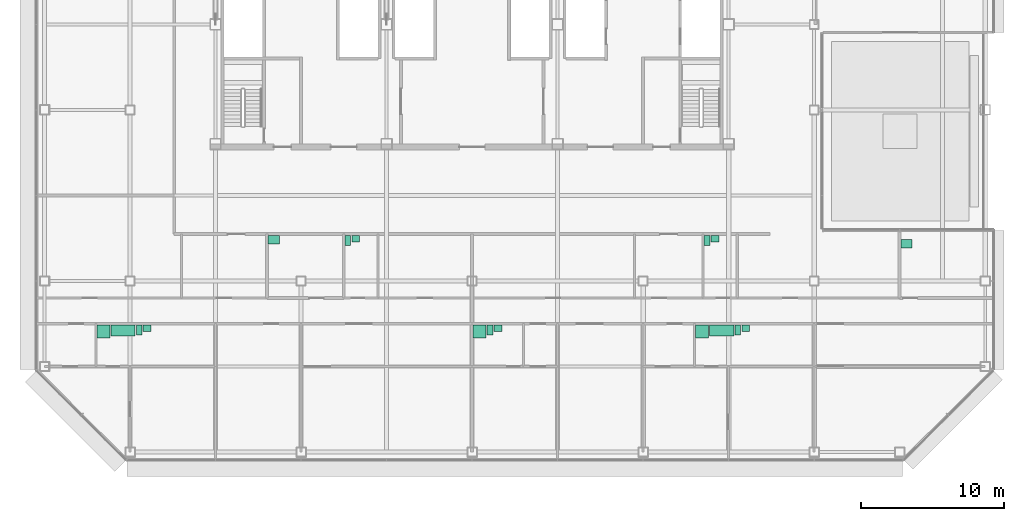
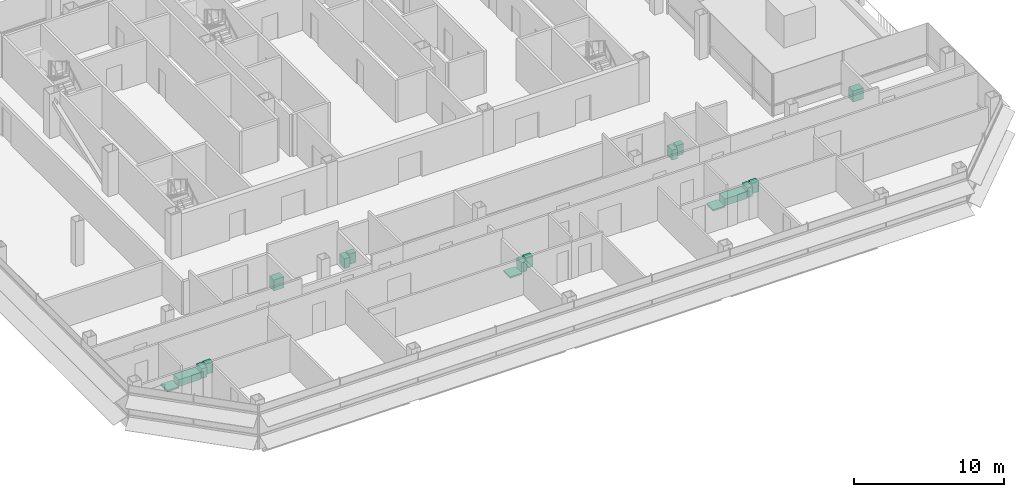
# One storey, part 26 of 27: 17 sanitary terminals.
"""IFC4 building model written with IfcOpenShell, lengths in metres."""

from ifc_helpers import new_model, si_unit, direction, frame, origin, origin_2d, place, context, subcontext, project, spatial, rectangle, extrude, element, save


model = new_model("IFC4")

# Units and contexts
model_context = context("Model", 3, precision=1e-05, world=origin(), true_north=direction((0.0, 1.0)))
body_context = subcontext(model_context, "Body", "Model", "MODEL_VIEW")
ifc_project = project(units=[si_unit("LENGTHUNIT", "METRE"), si_unit("AREAUNIT", "SQUARE_METRE"), si_unit("VOLUMEUNIT", "CUBIC_METRE"), si_unit("PLANEANGLEUNIT", "RADIAN"), si_unit("MASSUNIT", "GRAM", prefix="KILO")], contexts=[model_context])

# Site, building, storey
site_placement = place(None, origin())
site = spatial("IfcSite", under=ifc_project, at=site_placement, CompositionType="ELEMENT")
building_placement = place(site_placement, origin())
building = spatial("IfcBuilding", under=site, at=building_placement, Name="Sorahane Residences", CompositionType="ELEMENT")
storey_placement = place(building_placement, frame((0.0, 0.0, 167.199951171875)))
storey = spatial("IfcBuildingStorey", under=building, at=storey_placement, Name="L38", CompositionType="ELEMENT", Elevation=167.199951171875)

# Sanitary terminals
sanitary_terminal_1_placement = place(storey_placement, frame((-1.8701171875, 8.449951171875, 0.0), z_axis=(0.0, 0.0, 1.0), x_axis=(1.0, 0.0, 0.0)))
element("IfcSanitaryTerminal", 1, at=sanitary_terminal_1_placement, inside=storey, Name="Shower tray En-suite bathroom 38A", PredefinedType="SHOWER", context=body_context, shape_type="SweptSolid", body=[
    extrude(rectangle(XDim=0.89990234375, YDim=0.89990234375, at=origin_2d()), origin(), (0.0, 0.0, 1.0), 0.1201171875),
])
sanitary_terminal_2_placement = place(storey_placement, frame((-0.489990234375, 8.52490234375, 0.0), z_axis=(0.0, 0.0, 1.0), x_axis=(1.0, 0.0, 0.0)))
element("IfcSanitaryTerminal", 2, at=sanitary_terminal_2_placement, inside=storey, Name="Bath En-suite bathroom 38A", PredefinedType="BATH", context=body_context, shape_type="SweptSolid", body=[
    extrude(rectangle(XDim=1.699951171875, YDim=0.75, at=origin_2d()), origin(), (0.0, 0.0, 1.0), 0.56005859375),
])
sanitary_terminal_3_placement = place(storey_placement, frame((0.639892578125, 8.550048828125, 0.0), z_axis=(0.0, 0.0, 1.0), x_axis=(1.0, 0.0, 0.0)))
element("IfcSanitaryTerminal", 3, at=sanitary_terminal_3_placement, inside=storey, Name="WC pan En-suite bathroom 38A", PredefinedType="TOILETPAN", context=body_context, shape_type="SweptSolid", body=[
    extrude(rectangle(XDim=0.39990234375, YDim=0.699951171875, at=origin_2d()), origin(), (0.0, 0.0, 1.0), 0.800048828125),
])
sanitary_terminal_4_placement = place(storey_placement, frame((1.195068359375, 8.675048828125, 0.0), z_axis=(0.0, 0.0, 1.0), x_axis=(1.0, 0.0, 0.0)))
element("IfcSanitaryTerminal", 4, at=sanitary_terminal_4_placement, inside=storey, Name="Wash basin En-suite bathroom 38A", PredefinedType="WASHHANDBASIN", context=body_context, shape_type="SweptSolid", body=[
    extrude(rectangle(XDim=0.550048828125, YDim=0.449951171875, at=origin_2d()), origin(), (0.0, 0.0, 1.0), 0.85009765625),
])
sanitary_terminal_5_placement = place(storey_placement, frame((10.080078125, 14.89990234375, 0.0), z_axis=(0.0, 0.0, 1.0), x_axis=(1.0, 0.0, 0.0)))
element("IfcSanitaryTerminal", 5, at=sanitary_terminal_5_placement, inside=storey, Name="Kitchen sink Kitchen 38A", PredefinedType="SINK", context=body_context, shape_type="SweptSolid", body=[
    extrude(rectangle(XDim=0.800048828125, YDim=0.60009765625, at=origin_2d()), origin(), (0.0, 0.0, 1.0), 0.89990234375),
])
sanitary_terminal_6_placement = place(storey_placement, frame((15.280029296875, 14.85009765625, 0.0), z_axis=(0.0, 0.0, 1.0), x_axis=(1.0, 0.0, 0.0)))
element("IfcSanitaryTerminal", 6, at=sanitary_terminal_6_placement, inside=storey, Name="WC pan Guest WC 38A", PredefinedType="TOILETPAN", context=body_context, shape_type="SweptSolid", body=[
    extrude(rectangle(XDim=0.39990234375, YDim=0.699951171875, at=origin_2d()), origin(), (0.0, 0.0, 1.0), 0.800048828125),
])
sanitary_terminal_7_placement = place(storey_placement, frame((15.8349609375, 14.97509765625, 0.0), z_axis=(0.0, 0.0, 1.0), x_axis=(1.0, 0.0, 0.0)))
element("IfcSanitaryTerminal", 7, at=sanitary_terminal_7_placement, inside=storey, Name="Wash basin Guest WC 38A", PredefinedType="WASHHANDBASIN", context=body_context, shape_type="SweptSolid", body=[
    extrude(rectangle(XDim=0.550048828125, YDim=0.449951171875, at=origin_2d()), origin(), (0.0, 0.0, 1.0), 0.85009765625),
])
sanitary_terminal_8_placement = place(storey_placement, frame((24.530029296875, 8.449951171875, 0.0), z_axis=(0.0, 0.0, 1.0), x_axis=(1.0, 0.0, 0.0)))
element("IfcSanitaryTerminal", 8, at=sanitary_terminal_8_placement, inside=storey, Name="Shower tray En-suite bathroom 38B", PredefinedType="SHOWER", context=body_context, shape_type="SweptSolid", body=[
    extrude(rectangle(XDim=0.89990234375, YDim=0.89990234375, at=origin_2d()), origin(), (0.0, 0.0, 1.0), 0.1201171875),
])
sanitary_terminal_9_placement = place(storey_placement, frame((25.260009765625, 8.550048828125, 0.0), z_axis=(0.0, 0.0, 1.0), x_axis=(1.0, 0.0, 0.0)))
element("IfcSanitaryTerminal", 9, at=sanitary_terminal_9_placement, inside=storey, Name="WC pan En-suite bathroom 38B", PredefinedType="TOILETPAN", context=body_context, shape_type="SweptSolid", body=[
    extrude(rectangle(XDim=0.39990234375, YDim=0.699951171875, at=origin_2d()), origin(), (0.0, 0.0, 1.0), 0.800048828125),
])
sanitary_terminal_10_placement = place(storey_placement, frame((25.81494140625, 8.675048828125, 0.0), z_axis=(0.0, 0.0, 1.0), x_axis=(1.0, 0.0, 0.0)))
element("IfcSanitaryTerminal", 10, at=sanitary_terminal_10_placement, inside=storey, Name="Wash basin En-suite bathroom 38B", PredefinedType="WASHHANDBASIN", context=body_context, shape_type="SweptSolid", body=[
    extrude(rectangle(XDim=0.550048828125, YDim=0.449951171875, at=origin_2d()), origin(), (0.0, 0.0, 1.0), 0.85009765625),
])
sanitary_terminal_11_placement = place(storey_placement, frame((40.1298828125, 8.449951171875, 0.0), z_axis=(0.0, 0.0, 1.0), x_axis=(1.0, 0.0, 0.0)))
element("IfcSanitaryTerminal", 11, at=sanitary_terminal_11_placement, inside=storey, Name="Shower tray En-suite bathroom 38B-2", PredefinedType="SHOWER", context=body_context, shape_type="SweptSolid", body=[
    extrude(rectangle(XDim=0.89990234375, YDim=0.89990234375, at=origin_2d()), origin(), (0.0, 0.0, 1.0), 0.1201171875),
])
sanitary_terminal_12_placement = place(storey_placement, frame((41.510009765625, 8.52490234375, 0.0), z_axis=(0.0, 0.0, 1.0), x_axis=(1.0, 0.0, 0.0)))
element("IfcSanitaryTerminal", 12, at=sanitary_terminal_12_placement, inside=storey, Name="Bath En-suite bathroom 38B-2", PredefinedType="BATH", context=body_context, shape_type="SweptSolid", body=[
    extrude(rectangle(XDim=1.699951171875, YDim=0.75, at=origin_2d()), origin(), (0.0, 0.0, 1.0), 0.56005859375),
])
sanitary_terminal_13_placement = place(storey_placement, frame((42.639892578125, 8.550048828125, 0.0), z_axis=(0.0, 0.0, 1.0), x_axis=(1.0, 0.0, 0.0)))
element("IfcSanitaryTerminal", 13, at=sanitary_terminal_13_placement, inside=storey, Name="WC pan En-suite bathroom 38B-2", PredefinedType="TOILETPAN", context=body_context, shape_type="SweptSolid", body=[
    extrude(rectangle(XDim=0.39990234375, YDim=0.699951171875, at=origin_2d()), origin(), (0.0, 0.0, 1.0), 0.800048828125),
])
sanitary_terminal_14_placement = place(storey_placement, frame((43.195068359375, 8.675048828125, 0.0), z_axis=(0.0, 0.0, 1.0), x_axis=(1.0, 0.0, 0.0)))
element("IfcSanitaryTerminal", 14, at=sanitary_terminal_14_placement, inside=storey, Name="Wash basin En-suite bathroom 38B-2", PredefinedType="WASHHANDBASIN", context=body_context, shape_type="SweptSolid", body=[
    extrude(rectangle(XDim=0.550048828125, YDim=0.449951171875, at=origin_2d()), origin(), (0.0, 0.0, 1.0), 0.85009765625),
])
sanitary_terminal_15_placement = place(storey_placement, frame((40.47998046875, 14.85009765625, 0.0), z_axis=(0.0, 0.0, 1.0), x_axis=(1.0, 0.0, 0.0)))
element("IfcSanitaryTerminal", 15, at=sanitary_terminal_15_placement, inside=storey, Name="WC pan Guest WC 38B", PredefinedType="TOILETPAN", context=body_context, shape_type="SweptSolid", body=[
    extrude(rectangle(XDim=0.39990234375, YDim=0.699951171875, at=origin_2d()), origin(), (0.0, 0.0, 1.0), 0.800048828125),
])
sanitary_terminal_16_placement = place(storey_placement, frame((41.034912109375, 14.97509765625, 0.0), z_axis=(0.0, 0.0, 1.0), x_axis=(1.0, 0.0, 0.0)))
element("IfcSanitaryTerminal", 16, at=sanitary_terminal_16_placement, inside=storey, Name="Wash basin Guest WC 38B", PredefinedType="WASHHANDBASIN", context=body_context, shape_type="SweptSolid", body=[
    extrude(rectangle(XDim=0.550048828125, YDim=0.449951171875, at=origin_2d()), origin(), (0.0, 0.0, 1.0), 0.85009765625),
])
sanitary_terminal_17_placement = place(storey_placement, frame((54.47998046875, 14.60009765625, 0.0), z_axis=(0.0, 0.0, 1.0), x_axis=(1.0, 0.0, 0.0)))
element("IfcSanitaryTerminal", 17, at=sanitary_terminal_17_placement, inside=storey, Name="Kitchen sink Kitchen 38B", PredefinedType="SINK", context=body_context, shape_type="SweptSolid", body=[
    extrude(rectangle(XDim=0.800048828125, YDim=0.60009765625, at=origin_2d()), origin(), (0.0, 0.0, 1.0), 0.89990234375),
])

save(model, "model.ifc")
